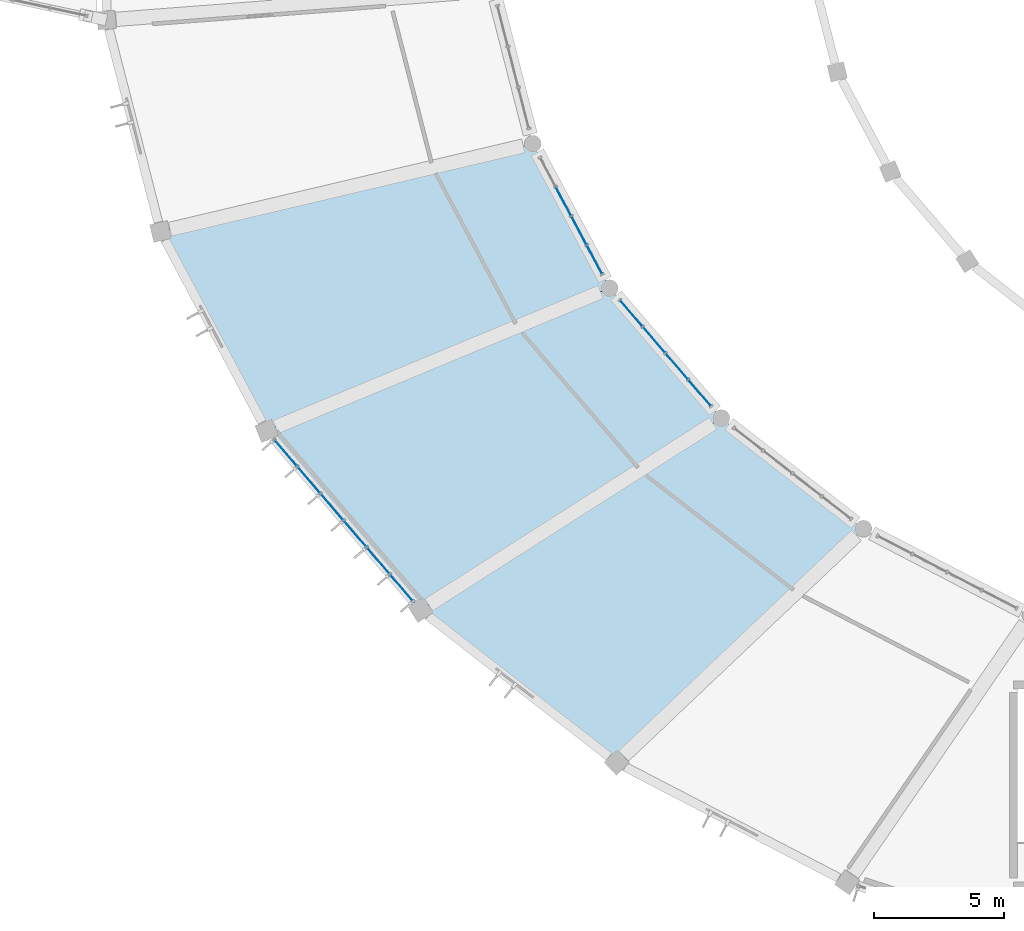
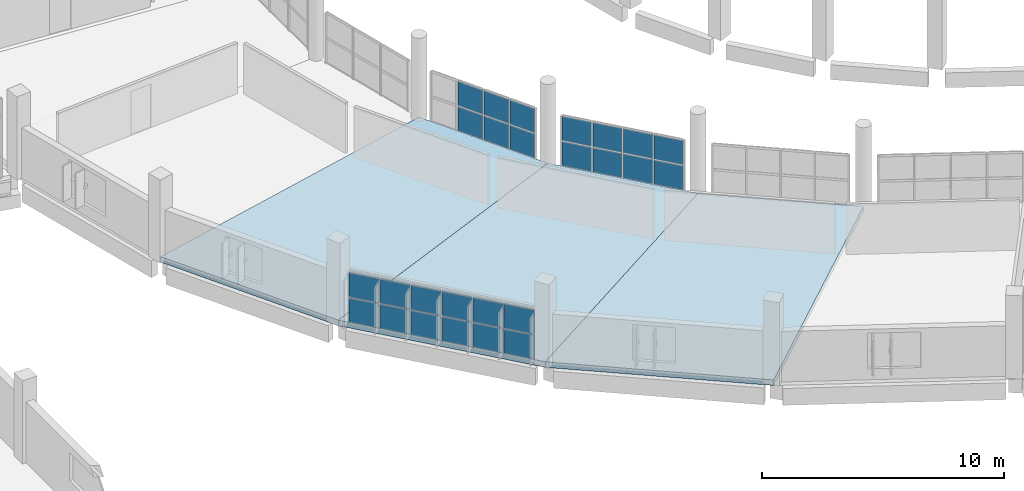
# One storey, part 73 of 142: 26 plates, 3 slabs, 3 elements without a shape of their own.
"""IFC4 building model written with IfcOpenShell, lengths in metres."""

from ifc_helpers import new_model, si_unit, direction, frame, origin, origin_2d, place, context, subcontext, project, spatial, polyline, rectangle, outline, extrude, material, layer, layer_set, type_object, element, aggregate, save


model = new_model("IFC4")

# Units and contexts
model_context = context("Model", 3, precision=1e-05, world=origin(), true_north=direction((0.0, 1.0)))
body_context = subcontext(model_context, "Body", "Model", "MODEL_VIEW")
ifc_project = project(units=[si_unit("LENGTHUNIT", "METRE"), si_unit("AREAUNIT", "SQUARE_METRE"), si_unit("VOLUMEUNIT", "CUBIC_METRE"), si_unit("PLANEANGLEUNIT", "RADIAN"), si_unit("MASSUNIT", "GRAM", prefix="KILO")], contexts=[model_context])

# Site, building, storey
site_placement = place(None, origin())
site = spatial("IfcSite", under=ifc_project, at=site_placement, CompositionType="ELEMENT")
building_placement = place(site_placement, origin())
building = spatial("IfcBuilding", under=site, at=building_placement, Name="Corvandel Quay Wholesale Market", CompositionType="ELEMENT")
storey_placement = place(building_placement, frame((0.0, 0.0, 10.800048828125)))
storey = spatial("IfcBuildingStorey", under=building, at=storey_placement, Name="L02", CompositionType="ELEMENT", Elevation=10.800048828125)

# Slabs
ifc_material_1 = material(Name="Concrete C40/50", Category="concrete")
ifc_layer_1 = layer(ifc_material_1, 0.280029296875)
ifc_layer_set_1 = layer_set([ifc_layer_1], Name="Concrete C40/50")
slab_type = type_object("IfcSlabType", Name="Composite Sorting Gallery Floor Slab 280", PredefinedType="FLOOR", material=ifc_layer_set_1)
slab_1_placement = place(storey_placement, frame((0.0, 0.0, -0.280029296875)))
element("IfcSlab", 1, at=slab_1_placement, inside=storey, type_object=slab_type, Name="Slab SLB-0089", PredefinedType="FLOOR", context=body_context, shape_type="SweptSolid", body=[
    extrude(outline(polyline([(76.35498046875, 33.117919921875), (79.305908203125, 27.576904296875), (66.14599609375, 22.10595703125), (62.074951171875, 29.7490234375), (76.35498046875, 33.117919921875)])), origin(), (0.0, 0.0, 1.0), 0.280029296875),
])
slab_2_placement = place(storey_placement, frame((0.0, 0.0, -0.280029296875)))
element("IfcSlab", 2, at=slab_2_placement, inside=storey, type_object=slab_type, Name="Slab SLB-0093", PredefinedType="FLOOR", context=body_context, shape_type="SweptSolid", body=[
    extrude(outline(polyline([(79.305908203125, 27.576904296875), (83.590087890625, 22.589111328125), (72.054931640625, 15.22705078125), (66.14599609375, 22.10595703125), (79.305908203125, 27.576904296875)])), origin(), (0.0, 0.0, 1.0), 0.280029296875),
])
slab_3_placement = place(storey_placement, frame((0.0, 0.0, -0.280029296875)))
element("IfcSlab", 3, at=slab_3_placement, inside=storey, type_object=slab_type, Name="Slab SLB-0097", PredefinedType="FLOOR", context=body_context, shape_type="SweptSolid", body=[
    extrude(outline(polyline([(83.590087890625, 22.589111328125), (89.04296875, 18.347900390625), (79.576904296875, 9.3759765625), (72.054931640625, 15.22705078125), (83.590087890625, 22.589111328125)])), origin(), (0.0, 0.0, 1.0), 0.280029296875),
])

# Curtain wall, plates
ifc_material_2 = material(Name="Bronze anodised aluminium and low-E insulated glazing", Category="aluminium")
ifc_layer_2 = layer(ifc_material_2, 0.162109375)
ifc_layer_set_2 = layer_set([ifc_layer_2], Name="Bronze anodised aluminium and low-E insulated glazing")
curtain_wall_type_1 = type_object("IfcCurtainWallType", Name="Stick Curtain Wall System CW11 H3990", PredefinedType="NOTDEFINED", material=ifc_layer_set_2)
curtain_wall_1_placement = place(storey_placement, origin())
curtain_wall_1 = element("IfcCurtainWall", 4, at=curtain_wall_1_placement, inside=storey, type_object=curtain_wall_type_1, Name="Curtain Wall CW-0052", PredefinedType="NOTDEFINED")
ifc_material_3 = material(Name="Solar-control low-E insulated glazing", Category="glass")
ifc_layer_3 = layer(ifc_material_3, 0.028076171875)
ifc_layer_set_3 = layer_set([ifc_layer_3], Name="Solar-control low-E insulated glazing")
plate_type = type_object("IfcPlateType", Name="Double Low-E Vision Panel PN01 28mm", PredefinedType="CURTAIN_PANEL", material=ifc_layer_set_3)
plate_1_placement = place(storey_placement, frame((77.531982421875, 30.90771484375, 0.02978515625), z_axis=(0.0, 0.0, 1.0), x_axis=(-0.470087862033, 0.882619624736, 0.0)))
plate_1 = element("IfcPlate", 5, at=plate_1_placement, type_object=plate_type, Name="Glazing Panel CW-0052-P01-0", PredefinedType="CURTAIN_PANEL", context=body_context, shape_type="SweptSolid", body=[
    extrude(rectangle(XDim=1.20458984375, YDim=0.028076171875, at=origin_2d()), origin(), (0.0, 0.0, 1.0), 1.215087890625),
])
plate_2_placement = place(storey_placement, frame((77.531982421875, 30.90771484375, 1.3046875), z_axis=(0.0, 0.0, 1.0), x_axis=(-0.470087862033, 0.882619624736, 0.0)))
plate_2 = element("IfcPlate", 6, at=plate_2_placement, type_object=plate_type, Name="Glazing Panel CW-0052-P01-1", PredefinedType="CURTAIN_PANEL", context=body_context, shape_type="SweptSolid", body=[
    extrude(rectangle(XDim=1.20458984375, YDim=0.028076171875, at=origin_2d()), origin(), (0.0, 0.0, 1.0), 1.215087890625),
])
plate_3_placement = place(storey_placement, frame((78.12890625, 29.787353515625, 0.02978515625), z_axis=(0.0, 0.0, 1.0), x_axis=(-0.470087862033, 0.882619624736, 0.0)))
plate_3 = element("IfcPlate", 7, at=plate_3_placement, type_object=plate_type, Name="Glazing Panel CW-0052-P02-0", PredefinedType="CURTAIN_PANEL", context=body_context, shape_type="SweptSolid", body=[
    extrude(rectangle(XDim=1.20458984375, YDim=0.028076171875, at=origin_2d()), origin(), (0.0, 0.0, 1.0), 1.215087890625),
])
plate_4_placement = place(storey_placement, frame((78.12890625, 29.787353515625, 1.3046875), z_axis=(0.0, 0.0, 1.0), x_axis=(-0.470087862033, 0.882619624736, 0.0)))
plate_4 = element("IfcPlate", 8, at=plate_4_placement, type_object=plate_type, Name="Glazing Panel CW-0052-P02-1", PredefinedType="CURTAIN_PANEL", context=body_context, shape_type="SweptSolid", body=[
    extrude(rectangle(XDim=1.20458984375, YDim=0.028076171875, at=origin_2d()), origin(), (0.0, 0.0, 1.0), 1.215087890625),
])
plate_5_placement = place(storey_placement, frame((78.7255859375, 28.666748046875, 0.02978515625), z_axis=(0.0, 0.0, 1.0), x_axis=(-0.470087862033, 0.882619624736, 0.0)))
plate_5 = element("IfcPlate", 9, at=plate_5_placement, type_object=plate_type, Name="Glazing Panel CW-0052-P03-0", PredefinedType="CURTAIN_PANEL", context=body_context, shape_type="SweptSolid", body=[
    extrude(rectangle(XDim=1.20458984375, YDim=0.028076171875, at=origin_2d()), origin(), (0.0, 0.0, 1.0), 1.215087890625),
])
plate_6_placement = place(storey_placement, frame((78.7255859375, 28.666748046875, 1.3046875), z_axis=(0.0, 0.0, 1.0), x_axis=(-0.470087862033, 0.882619624736, 0.0)))
plate_6 = element("IfcPlate", 10, at=plate_6_placement, type_object=plate_type, Name="Glazing Panel CW-0052-P03-1", PredefinedType="CURTAIN_PANEL", context=body_context, shape_type="SweptSolid", body=[
    extrude(rectangle(XDim=1.20458984375, YDim=0.028076171875, at=origin_2d()), origin(), (0.0, 0.0, 1.0), 1.215087890625),
])
aggregate(curtain_wall_1, [plate_1, plate_2, plate_3, plate_4, plate_5, plate_6])

ifc_layer_4 = layer(ifc_material_2, 0.174072265625)
ifc_layer_set_4 = layer_set([ifc_layer_4], Name="Bronze anodised aluminium and low-E insulated glazing")
curtain_wall_type_2 = type_object("IfcCurtainWallType", Name="Stick Curtain Wall System CW27 H5430", PredefinedType="NOTDEFINED", material=ifc_layer_set_4)
curtain_wall_2_placement = place(storey_placement, origin())
curtain_wall_2 = element("IfcCurtainWall", 11, at=curtain_wall_2_placement, inside=storey, type_object=curtain_wall_type_2, Name="Curtain Wall CW-0054", PredefinedType="NOTDEFINED")
plate_7_placement = place(storey_placement, frame((66.8828125, 21.248291015625, 0.02978515625), z_axis=(0.0, 0.0, 1.0), x_axis=(-0.651568967347, 0.758589401976, 0.0)))
plate_7 = element("IfcPlate", 12, at=plate_7_placement, type_object=plate_type, Name="Glazing Panel CW-0054-P00-0", PredefinedType="CURTAIN_PANEL", context=body_context, shape_type="SweptSolid", body=[
    extrude(rectangle(XDim=1.29638671875, YDim=0.028076171875, at=origin_2d()), origin(), (0.0, 0.0, 1.0), 1.215087890625),
])
plate_8_placement = place(storey_placement, frame((66.8828125, 21.248291015625, 1.3046875), z_axis=(0.0, 0.0, 1.0), x_axis=(-0.651568967347, 0.758589401976, 0.0)))
plate_8 = element("IfcPlate", 13, at=plate_8_placement, type_object=plate_type, Name="Glazing Panel CW-0054-P00-1", PredefinedType="CURTAIN_PANEL", context=body_context, shape_type="SweptSolid", body=[
    extrude(rectangle(XDim=1.29638671875, YDim=0.028076171875, at=origin_2d()), origin(), (0.0, 0.0, 1.0), 1.215087890625),
])
plate_9_placement = place(storey_placement, frame((67.769775390625, 20.215576171875, 0.02978515625), z_axis=(0.0, 0.0, 1.0), x_axis=(-0.651568967347, 0.758589401976, 0.0)))
plate_9 = element("IfcPlate", 14, at=plate_9_placement, type_object=plate_type, Name="Glazing Panel CW-0054-P01-0", PredefinedType="CURTAIN_PANEL", context=body_context, shape_type="SweptSolid", body=[
    extrude(rectangle(XDim=1.29638671875, YDim=0.028076171875, at=origin_2d()), origin(), (0.0, 0.0, 1.0), 1.215087890625),
])
plate_10_placement = place(storey_placement, frame((67.769775390625, 20.215576171875, 1.3046875), z_axis=(0.0, 0.0, 1.0), x_axis=(-0.651568967347, 0.758589401976, 0.0)))
plate_10 = element("IfcPlate", 15, at=plate_10_placement, type_object=plate_type, Name="Glazing Panel CW-0054-P01-1", PredefinedType="CURTAIN_PANEL", context=body_context, shape_type="SweptSolid", body=[
    extrude(rectangle(XDim=1.29638671875, YDim=0.028076171875, at=origin_2d()), origin(), (0.0, 0.0, 1.0), 1.215087890625),
])
plate_11_placement = place(storey_placement, frame((68.656982421875, 19.182861328125, 0.02978515625), z_axis=(0.0, 0.0, 1.0), x_axis=(-0.651568967347, 0.758589401976, 0.0)))
plate_11 = element("IfcPlate", 16, at=plate_11_placement, type_object=plate_type, Name="Glazing Panel CW-0054-P02-0", PredefinedType="CURTAIN_PANEL", context=body_context, shape_type="SweptSolid", body=[
    extrude(rectangle(XDim=1.29638671875, YDim=0.028076171875, at=origin_2d()), origin(), (0.0, 0.0, 1.0), 1.215087890625),
])
plate_12_placement = place(storey_placement, frame((68.656982421875, 19.182861328125, 1.3046875), z_axis=(0.0, 0.0, 1.0), x_axis=(-0.651568967347, 0.758589401976, 0.0)))
plate_12 = element("IfcPlate", 17, at=plate_12_placement, type_object=plate_type, Name="Glazing Panel CW-0054-P02-1", PredefinedType="CURTAIN_PANEL", context=body_context, shape_type="SweptSolid", body=[
    extrude(rectangle(XDim=1.29638671875, YDim=0.028076171875, at=origin_2d()), origin(), (0.0, 0.0, 1.0), 1.215087890625),
])
plate_13_placement = place(storey_placement, frame((69.5439453125, 18.150146484375, 0.02978515625), z_axis=(0.0, 0.0, 1.0), x_axis=(-0.651568967347, 0.758589401976, 0.0)))
plate_13 = element("IfcPlate", 18, at=plate_13_placement, type_object=plate_type, Name="Glazing Panel CW-0054-P03-0", PredefinedType="CURTAIN_PANEL", context=body_context, shape_type="SweptSolid", body=[
    extrude(rectangle(XDim=1.29638671875, YDim=0.028076171875, at=origin_2d()), origin(), (0.0, 0.0, 1.0), 1.215087890625),
])
plate_14_placement = place(storey_placement, frame((69.5439453125, 18.150146484375, 1.3046875), z_axis=(0.0, 0.0, 1.0), x_axis=(-0.651568967347, 0.758589401976, 0.0)))
plate_14 = element("IfcPlate", 19, at=plate_14_placement, type_object=plate_type, Name="Glazing Panel CW-0054-P03-1", PredefinedType="CURTAIN_PANEL", context=body_context, shape_type="SweptSolid", body=[
    extrude(rectangle(XDim=1.29638671875, YDim=0.028076171875, at=origin_2d()), origin(), (0.0, 0.0, 1.0), 1.215087890625),
])
plate_15_placement = place(storey_placement, frame((70.43115234375, 17.117431640625, 0.02978515625), z_axis=(0.0, 0.0, 1.0), x_axis=(-0.651568967347, 0.758589401976, 0.0)))
plate_15 = element("IfcPlate", 20, at=plate_15_placement, type_object=plate_type, Name="Glazing Panel CW-0054-P04-0", PredefinedType="CURTAIN_PANEL", context=body_context, shape_type="SweptSolid", body=[
    extrude(rectangle(XDim=1.29638671875, YDim=0.028076171875, at=origin_2d()), origin(), (0.0, 0.0, 1.0), 1.215087890625),
])
plate_16_placement = place(storey_placement, frame((70.43115234375, 17.117431640625, 1.3046875), z_axis=(0.0, 0.0, 1.0), x_axis=(-0.651568967347, 0.758589401976, 0.0)))
plate_16 = element("IfcPlate", 21, at=plate_16_placement, type_object=plate_type, Name="Glazing Panel CW-0054-P04-1", PredefinedType="CURTAIN_PANEL", context=body_context, shape_type="SweptSolid", body=[
    extrude(rectangle(XDim=1.29638671875, YDim=0.028076171875, at=origin_2d()), origin(), (0.0, 0.0, 1.0), 1.215087890625),
])
plate_17_placement = place(storey_placement, frame((71.318115234375, 16.084716796875, 0.02978515625), z_axis=(0.0, 0.0, 1.0), x_axis=(-0.651568967347, 0.758589401976, 0.0)))
plate_17 = element("IfcPlate", 22, at=plate_17_placement, type_object=plate_type, Name="Glazing Panel CW-0054-P05-0", PredefinedType="CURTAIN_PANEL", context=body_context, shape_type="SweptSolid", body=[
    extrude(rectangle(XDim=1.29638671875, YDim=0.028076171875, at=origin_2d()), origin(), (0.0, 0.0, 1.0), 1.215087890625),
])
plate_18_placement = place(storey_placement, frame((71.318115234375, 16.084716796875, 1.3046875), z_axis=(0.0, 0.0, 1.0), x_axis=(-0.651568967347, 0.758589401976, 0.0)))
plate_18 = element("IfcPlate", 23, at=plate_18_placement, type_object=plate_type, Name="Glazing Panel CW-0054-P05-1", PredefinedType="CURTAIN_PANEL", context=body_context, shape_type="SweptSolid", body=[
    extrude(rectangle(XDim=1.29638671875, YDim=0.028076171875, at=origin_2d()), origin(), (0.0, 0.0, 1.0), 1.215087890625),
])
aggregate(curtain_wall_2, [plate_7, plate_8, plate_9, plate_10, plate_11, plate_12, plate_13, plate_14, plate_15, plate_16, plate_17, plate_18])

ifc_layer_5 = layer(ifc_material_2, 0.174072265625)
ifc_layer_set_5 = layer_set([ifc_layer_5], Name="Bronze anodised aluminium and low-E insulated glazing")
curtain_wall_type_3 = type_object("IfcCurtainWallType", Name="Stick Curtain Wall System CW12 H4080", PredefinedType="NOTDEFINED", material=ifc_layer_set_5)
curtain_wall_3_placement = place(storey_placement, origin())
curtain_wall_3 = element("IfcCurtainWall", 24, at=curtain_wall_3_placement, inside=storey, type_object=curtain_wall_type_3, Name="Curtain Wall CW-0056", PredefinedType="NOTDEFINED")
plate_19_placement = place(storey_placement, frame((80.134765625, 26.6123046875, 0.02978515625), z_axis=(0.0, 0.0, 1.0), x_axis=(-0.651568967347, 0.758589401976, 0.0)))
plate_19 = element("IfcPlate", 25, at=plate_19_placement, type_object=plate_type, Name="Glazing Panel CW-0056-P00-0", PredefinedType="CURTAIN_PANEL", context=body_context, shape_type="SweptSolid", body=[
    extrude(rectangle(XDim=1.27880859375, YDim=0.028076171875, at=origin_2d()), origin(), (0.0, 0.0, 1.0), 1.215087890625),
])
plate_20_placement = place(storey_placement, frame((80.134765625, 26.6123046875, 1.3046875), z_axis=(0.0, 0.0, 1.0), x_axis=(-0.651568967347, 0.758589401976, 0.0)))
plate_20 = element("IfcPlate", 26, at=plate_20_placement, type_object=plate_type, Name="Glazing Panel CW-0056-P00-1", PredefinedType="CURTAIN_PANEL", context=body_context, shape_type="SweptSolid", body=[
    extrude(rectangle(XDim=1.27880859375, YDim=0.028076171875, at=origin_2d()), origin(), (0.0, 0.0, 1.0), 1.215087890625),
])
plate_21_placement = place(storey_placement, frame((81.01025390625, 25.5927734375, 0.02978515625), z_axis=(0.0, 0.0, 1.0), x_axis=(-0.651568967347, 0.758589401976, 0.0)))
plate_21 = element("IfcPlate", 27, at=plate_21_placement, type_object=plate_type, Name="Glazing Panel CW-0056-P01-0", PredefinedType="CURTAIN_PANEL", context=body_context, shape_type="SweptSolid", body=[
    extrude(rectangle(XDim=1.27880859375, YDim=0.028076171875, at=origin_2d()), origin(), (0.0, 0.0, 1.0), 1.215087890625),
])
plate_22_placement = place(storey_placement, frame((81.01025390625, 25.5927734375, 1.3046875), z_axis=(0.0, 0.0, 1.0), x_axis=(-0.651568967347, 0.758589401976, 0.0)))
plate_22 = element("IfcPlate", 28, at=plate_22_placement, type_object=plate_type, Name="Glazing Panel CW-0056-P01-1", PredefinedType="CURTAIN_PANEL", context=body_context, shape_type="SweptSolid", body=[
    extrude(rectangle(XDim=1.27880859375, YDim=0.028076171875, at=origin_2d()), origin(), (0.0, 0.0, 1.0), 1.215087890625),
])
plate_23_placement = place(storey_placement, frame((81.8857421875, 24.5732421875, 0.02978515625), z_axis=(0.0, 0.0, 1.0), x_axis=(-0.651568967347, 0.758589401976, 0.0)))
plate_23 = element("IfcPlate", 29, at=plate_23_placement, type_object=plate_type, Name="Glazing Panel CW-0056-P02-0", PredefinedType="CURTAIN_PANEL", context=body_context, shape_type="SweptSolid", body=[
    extrude(rectangle(XDim=1.27880859375, YDim=0.028076171875, at=origin_2d()), origin(), (0.0, 0.0, 1.0), 1.215087890625),
])
plate_24_placement = place(storey_placement, frame((81.8857421875, 24.5732421875, 1.3046875), z_axis=(0.0, 0.0, 1.0), x_axis=(-0.651568967347, 0.758589401976, 0.0)))
plate_24 = element("IfcPlate", 30, at=plate_24_placement, type_object=plate_type, Name="Glazing Panel CW-0056-P02-1", PredefinedType="CURTAIN_PANEL", context=body_context, shape_type="SweptSolid", body=[
    extrude(rectangle(XDim=1.27880859375, YDim=0.028076171875, at=origin_2d()), origin(), (0.0, 0.0, 1.0), 1.215087890625),
])
plate_25_placement = place(storey_placement, frame((82.76123046875, 23.5537109375, 0.02978515625), z_axis=(0.0, 0.0, 1.0), x_axis=(-0.651568967347, 0.758589401976, 0.0)))
plate_25 = element("IfcPlate", 31, at=plate_25_placement, type_object=plate_type, Name="Glazing Panel CW-0056-P03-0", PredefinedType="CURTAIN_PANEL", context=body_context, shape_type="SweptSolid", body=[
    extrude(rectangle(XDim=1.27880859375, YDim=0.028076171875, at=origin_2d()), origin(), (0.0, 0.0, 1.0), 1.215087890625),
])
plate_26_placement = place(storey_placement, frame((82.76123046875, 23.5537109375, 1.3046875), z_axis=(0.0, 0.0, 1.0), x_axis=(-0.651568967347, 0.758589401976, 0.0)))
plate_26 = element("IfcPlate", 32, at=plate_26_placement, type_object=plate_type, Name="Glazing Panel CW-0056-P03-1", PredefinedType="CURTAIN_PANEL", context=body_context, shape_type="SweptSolid", body=[
    extrude(rectangle(XDim=1.27880859375, YDim=0.028076171875, at=origin_2d()), origin(), (0.0, 0.0, 1.0), 1.215087890625),
])
aggregate(curtain_wall_3, [plate_19, plate_20, plate_21, plate_22, plate_23, plate_24, plate_25, plate_26])

save(model, "model.ifc")
